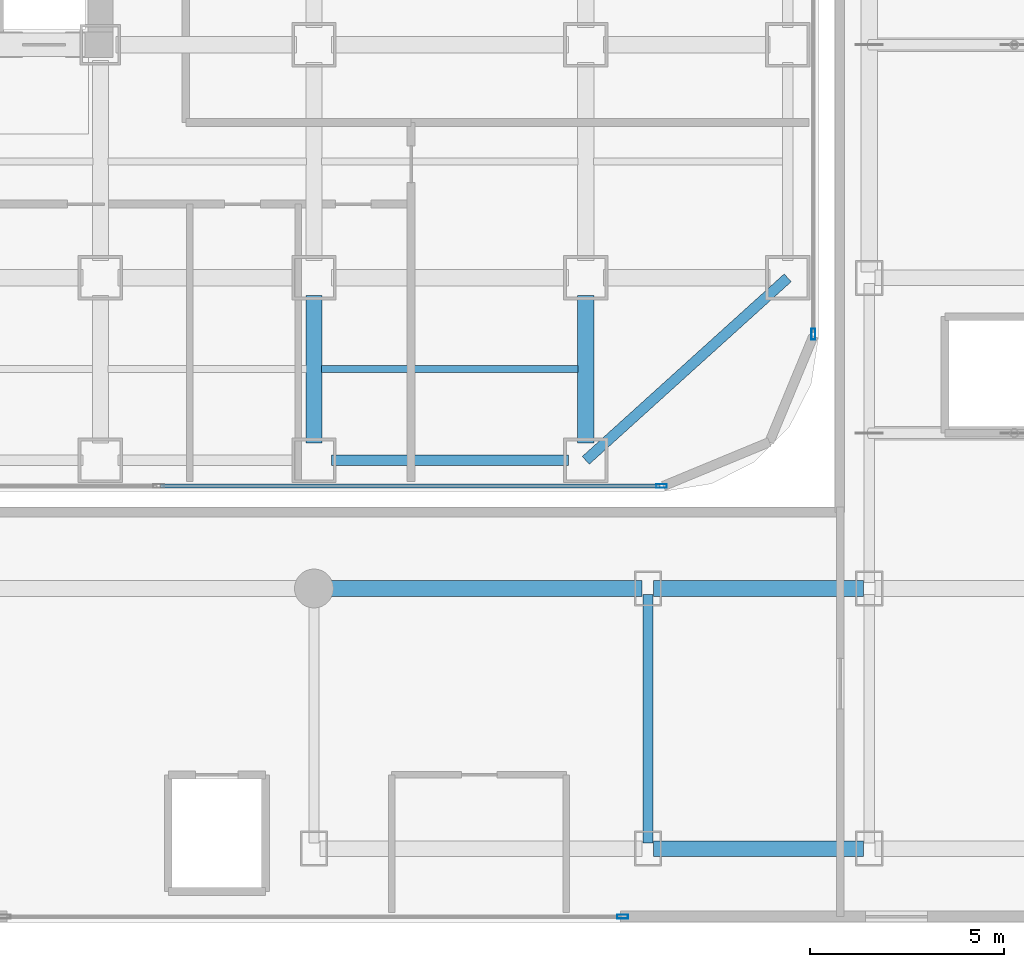
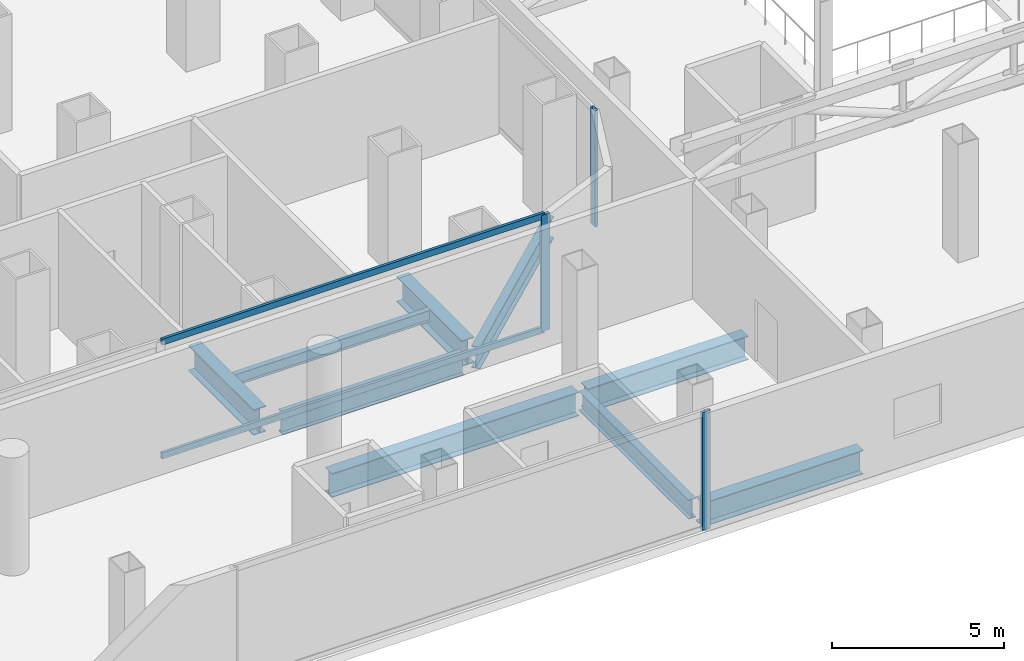
# One storey, part 10 of 28: 9 beams, 5 members, 3 elements without a shape of their own.
"""IFC4 building model written with IfcOpenShell, lengths in metres."""

from ifc_helpers import new_model, si_unit, direction, frame, origin, origin_2d, place, context, subcontext, project, spatial, hollow_rectangle, i_section, extrude, source, transform, mapped, material, layer, layer_set, material_profile, profile_set, type_object, element, aggregate, save


model = new_model("IFC4")

# Units and contexts
model_context = context("Model", 3, precision=1e-05, world=origin(), true_north=direction((0.0, 1.0)))
body_context = subcontext(model_context, "Body", "Model", "MODEL_VIEW")
ifc_project = project(units=[si_unit("LENGTHUNIT", "METRE"), si_unit("AREAUNIT", "SQUARE_METRE"), si_unit("VOLUMEUNIT", "CUBIC_METRE"), si_unit("PLANEANGLEUNIT", "RADIAN"), si_unit("MASSUNIT", "GRAM", prefix="KILO")], contexts=[model_context])

# Site, building, storey
site_placement = place(None, origin())
site = spatial("IfcSite", under=ifc_project, at=site_placement, CompositionType="ELEMENT")
building_placement = place(site_placement, origin())
building = spatial("IfcBuilding", under=site, at=building_placement, Name="Kolveth Station Tower", CompositionType="ELEMENT")
storey_placement = place(building_placement, frame((0.0, 0.0, 18.0)))
storey = spatial("IfcBuildingStorey", under=building, at=storey_placement, Name="L04", CompositionType="ELEMENT", Elevation=18.0)

# Beams
ifc_material_1 = material(Name="Steel S355", Category="steel")
ifc_material_profile_1 = material_profile(ifc_material_1, i_section(OverallWidth=0.26904296875, OverallDepth=0.77490234375, WebThickness=0.01708984375, FlangeThickness=0.0283203125, at=origin_2d()), Name="W760x220")
ifc_profile_set_1 = profile_set([ifc_material_profile_1], Name="Steel S355")
beam_type_1 = type_object("IfcBeamType", Name="Beam_SP1", PredefinedType="SPANDREL", material=ifc_profile_set_1)
shared_shape_1 = source(origin(), body_context, "Body", "SweptSolid", [
    extrude(i_section(OverallWidth=0.26904296875, OverallDepth=0.77490234375, WebThickness=0.01708984375, FlangeThickness=0.0283203125, at=origin_2d()), origin(), (0.0, 0.0, 1.0), 6.10009765625),
])
beam_1_placement = place(storey_placement, frame((34.449951171875, 0.800048828125, -0.70751953125), z_axis=(1.0, 0.0, 0.0), x_axis=(0.0, 1.0, 0.0)))
element("IfcBeam", 1, at=beam_1_placement, inside=storey, type_object=beam_type_1, Name="L04 Perimeter Spandrel BM-L04-PS-5", PredefinedType="SPANDREL", context=body_context, shape_type="MappedRepresentation", body=[
    mapped(shared_shape_1, transform((0.0, 0.0, 0.0), x_axis=(1.0, 0.0, 0.0), y_axis=(0.0, 1.0, 0.0), z_axis=(0.0, 0.0, 1.0), scale=1.0)),
])
shared_shape_2 = source(origin(), body_context, "Body", "SweptSolid", [
    extrude(i_section(OverallWidth=0.26904296875, OverallDepth=0.77490234375, WebThickness=0.01708984375, FlangeThickness=0.0283203125, at=origin_2d()), origin(), (0.0, 0.0, 1.0), 7.00927734375),
])
beam_2_placement = place(storey_placement, frame((41.0, 0.800048828125, -0.70751953125), z_axis=(0.741874009795, 0.670539300557, 0.0), x_axis=(-0.670539300557, 0.741874009795, 0.0)))
element("IfcBeam", 2, at=beam_2_placement, inside=storey, type_object=beam_type_1, Name="L04 Corner Edge Girder BM-L04-CNR-SE", PredefinedType="SPANDREL", context=body_context, shape_type="MappedRepresentation", body=[
    mapped(shared_shape_2, transform((0.0, 0.0, 0.0), x_axis=(1.0, 0.0, 0.0), y_axis=(0.0, 1.0, 0.0), z_axis=(0.0, 0.0, 1.0), scale=1.0)),
])
ifc_material_profile_2 = material_profile(ifc_material_1, i_section(OverallWidth=0.41796875, OverallDepth=0.912109375, WebThickness=0.019287109375, FlangeThickness=0.031982421875, at=origin_2d()), Name="W920x342")
ifc_profile_set_2 = profile_set([ifc_material_profile_2], Name="Steel S355")
beam_type_2 = type_object("IfcBeamType", Name="Beam_B1", PredefinedType="BEAM", material=ifc_profile_set_2)
shared_shape_3 = source(origin(), body_context, "Body", "SweptSolid", [
    extrude(i_section(OverallWidth=0.41796875, OverallDepth=0.912109375, WebThickness=0.019287109375, FlangeThickness=0.031982421875, at=origin_2d()), origin(), (0.0, 0.0, 1.0), 3.800048828125),
])
for number, where, z_axis, x_axis, name in (
    (3, (34.0, 1.25, -0.77587890625), (0.0, 1.0, 0.0), (-1.0, 0.0, 0.0), "L04 Primary Girder BM-L04-GX340-1"),
    (4, (41.0, 1.25, -0.77587890625), (0.0, 1.0, 0.0), (-1.0, 0.0, 0.0), "L04 Primary Girder BM-L04-GX410-1"),
):
    element("IfcBeam", number, at=place(storey_placement, frame(where, z_axis=z_axis, x_axis=x_axis)), inside=storey, type_object=beam_type_2, Name=name, PredefinedType="BEAM", context=body_context, shape_type="MappedRepresentation", body=[
        mapped(shared_shape_3, transform((0.0, 0.0, 0.0), x_axis=(1.0, 0.0, 0.0), y_axis=(0.0, 1.0, 0.0), z_axis=(0.0, 0.0, 1.0), scale=1.0)),
    ])
ifc_material_profile_3 = material_profile(ifc_material_1, i_section(OverallWidth=0.177978515625, OverallDepth=0.406982421875, WebThickness=0.0078125, FlangeThickness=0.0126953125, at=origin_2d()), Name="W410x60")
ifc_profile_set_3 = profile_set([ifc_material_profile_3], Name="Steel S355")
beam_type_3 = type_object("IfcBeamType", Name="Beam_J1", PredefinedType="JOIST", material=ifc_profile_set_3)
shared_shape_4 = source(origin(), body_context, "Body", "SweptSolid", [
    extrude(i_section(OverallWidth=0.177978515625, OverallDepth=0.406982421875, WebThickness=0.0078125, FlangeThickness=0.0126953125, at=origin_2d()), origin(), (0.0, 0.0, 1.0), 6.60986328125),
])
beam_3_placement = place(storey_placement, frame((34.195068359375, 3.14990234375, -0.5234375), z_axis=(1.0, 0.0, 0.0), x_axis=(0.0, 1.0, 0.0)))
element("IfcBeam", 5, at=beam_3_placement, inside=storey, type_object=beam_type_3, Name="L04 Secondary Joist JST-L04-6-1", PredefinedType="JOIST", context=body_context, shape_type="MappedRepresentation", body=[
    mapped(shared_shape_4, transform((0.0, 0.0, 0.0), x_axis=(1.0, 0.0, 0.0), y_axis=(0.0, 1.0, 0.0), z_axis=(0.0, 0.0, 1.0), scale=1.0)),
])
ifc_material_profile_4 = material_profile(ifc_material_1, i_section(OverallWidth=0.40087890625, OverallDepth=0.85107421875, WebThickness=0.01611328125, FlangeThickness=0.025390625, at=origin_2d()), Name="W840x226")
ifc_profile_set_4 = profile_set([ifc_material_profile_4], Name="Steel S355")
beam_type_4 = type_object("IfcBeamType", Name="Beam_B2", PredefinedType="BEAM", material=ifc_profile_set_4)
shared_shape_5 = source(origin(), body_context, "Body", "SweptSolid", [
    extrude(i_section(OverallWidth=0.40087890625, OverallDepth=0.85107421875, WebThickness=0.01611328125, FlangeThickness=0.025390625, at=origin_2d()), origin(), (0.0, 0.0, 1.0), 8.300048828125),
])
beam_4_placement = place(storey_placement, frame((34.14990234375, -2.5, -0.74560546875), z_axis=(1.0, 0.0, 0.0), x_axis=(0.0, 1.0, 0.0)))
element("IfcBeam", 6, at=beam_4_placement, inside=storey, type_object=beam_type_4, Name="L04 Station Concourse Girder SBM-L04-SL2-4", PredefinedType="BEAM", context=body_context, shape_type="MappedRepresentation", body=[
    mapped(shared_shape_5, transform((0.0, 0.0, 0.0), x_axis=(1.0, 0.0, 0.0), y_axis=(0.0, 1.0, 0.0), z_axis=(0.0, 0.0, 1.0), scale=1.0)),
])
shared_shape_6 = source(origin(), body_context, "Body", "SweptSolid", [
    extrude(i_section(OverallWidth=0.40087890625, OverallDepth=0.85107421875, WebThickness=0.01611328125, FlangeThickness=0.025390625, at=origin_2d()), origin(), (0.0, 0.0, 1.0), 5.39990234375),
])
for number, where, z_axis, x_axis, name in (
    (7, (42.75, -9.199951171875, -0.74560546875), (1.0, 0.0, 0.0), (0.0, 1.0, 0.0), "L04 Station Concourse Girder SBM-L04-SL1-5"),
    (8, (42.75, -2.5, -0.74560546875), (1.0, 0.0, 0.0), (0.0, 1.0, 0.0), "L04 Station Concourse Girder SBM-L04-SL2-5"),
):
    element("IfcBeam", number, at=place(storey_placement, frame(where, z_axis=z_axis, x_axis=x_axis)), inside=storey, type_object=beam_type_4, Name=name, PredefinedType="BEAM", context=body_context, shape_type="MappedRepresentation", body=[
        mapped(shared_shape_6, transform((0.0, 0.0, 0.0), x_axis=(1.0, 0.0, 0.0), y_axis=(0.0, 1.0, 0.0), z_axis=(0.0, 0.0, 1.0), scale=1.0)),
    ])
ifc_material_profile_5 = material_profile(ifc_material_1, i_section(OverallWidth=0.25390625, OverallDepth=0.68798828125, WebThickness=0.01318359375, FlangeThickness=0.02099609375, at=origin_2d()), Name="W690x152")
ifc_profile_set_5 = profile_set([ifc_material_profile_5], Name="Steel S355")
beam_type_5 = type_object("IfcBeamType", Name="Beam_B4", PredefinedType="BEAM", material=ifc_profile_set_5)
shared_shape_7 = source(origin(), body_context, "Body", "SweptSolid", [
    extrude(i_section(OverallWidth=0.25390625, OverallDepth=0.68798828125, WebThickness=0.01318359375, FlangeThickness=0.02099609375, at=origin_2d()), origin(), (0.0, 0.0, 1.0), 6.400146484375),
])
beam_5_placement = place(storey_placement, frame((42.60009765625, -9.050048828125, -0.6640625), z_axis=(0.0, 1.0, 0.0), x_axis=(-1.0, 0.0, 0.0)))
element("IfcBeam", 9, at=beam_5_placement, inside=storey, type_object=beam_type_5, Name="L04 Station Transverse Beam SBM-L04-ST-5", PredefinedType="BEAM", context=body_context, shape_type="MappedRepresentation", body=[
    mapped(shared_shape_7, transform((0.0, 0.0, 0.0), x_axis=(1.0, 0.0, 0.0), y_axis=(0.0, 1.0, 0.0), z_axis=(0.0, 0.0, 1.0), scale=1.0)),
])

# Curtain wall, members
ifc_material_2 = material(Name="Black anodized aluminium 6063-T6 and clear station glass", Category="aluminium")
ifc_layer = layer(ifc_material_2, 0.239990234375)
ifc_layer_set = layer_set([ifc_layer], Name="Black anodized aluminium 6063-T6 and clear station glass")
curtain_wall_type = type_object("IfcCurtainWallType", Name="CurtainWall_CW-ST", PredefinedType="NOTDEFINED", material=ifc_layer_set)
curtain_wall_1_placement = place(storey_placement, origin())
curtain_wall_1 = element("IfcCurtainWall", 10, at=curtain_wall_1_placement, inside=storey, type_object=curtain_wall_type, Name="L04 Tower Podium South Storefront Curtain Wall", PredefinedType="NOTDEFINED")
ifc_material_3 = material(Name="Black anodized aluminium 6063-T6", Category="aluminium")
ifc_material_profile_6 = material_profile(ifc_material_3, hollow_rectangle(XDim=0.094970703125, YDim=0.219970703125, WallThickness=0.0048828125, at=origin_2d()), Name="ALU-95x220x5")
ifc_profile_set_6 = profile_set([ifc_material_profile_6], Name="Black anodized aluminium 6063-T6")
member_type_1 = type_object("IfcMemberType", Name="Transom_TR-ST", PredefinedType="USERDEFINED", material=ifc_profile_set_6)
shared_shape_8 = source(origin(), body_context, "Body", "SweptSolid", [
    extrude(hollow_rectangle(XDim=0.094970703125, YDim=0.219970703125, WallThickness=0.0048828125, at=origin_2d()), origin(), (0.0, 0.0, 1.0), 12.849853515625),
])
member_1_placement = place(storey_placement, frame((30.050048828125, 0.139892578125, 0.047607421875), z_axis=(1.0, 0.0, 0.0), x_axis=(0.0, 1.0, 0.0)))
member_1 = element("IfcMember", 11, at=member_1_placement, type_object=member_type_1, Name="CW-ST transom 3.1", ObjectType="TRANSOM", PredefinedType="USERDEFINED", context=body_context, shape_type="MappedRepresentation", body=[
    mapped(shared_shape_8, transform((0.0, 0.0, 0.0), x_axis=(1.0, 0.0, 0.0), y_axis=(0.0, 1.0, 0.0), z_axis=(0.0, 0.0, 1.0), scale=1.0)),
])
member_2_placement = place(storey_placement, frame((30.050048828125, 0.139892578125, 4.092529296875), z_axis=(1.0, 0.0, 0.0), x_axis=(0.0, 1.0, 0.0)))
member_2 = element("IfcMember", 12, at=member_2_placement, type_object=member_type_1, Name="CW-ST transom 3.2", ObjectType="TRANSOM", PredefinedType="USERDEFINED", context=body_context, shape_type="MappedRepresentation", body=[
    mapped(shared_shape_8, transform((0.0, 0.0, 0.0), x_axis=(1.0, 0.0, 0.0), y_axis=(0.0, 1.0, 0.0), z_axis=(0.0, 0.0, 1.0), scale=1.0)),
])
ifc_material_profile_7 = material_profile(ifc_material_3, hollow_rectangle(XDim=0.10009765625, YDim=0.280029296875, WallThickness=0.0048828125, at=origin_2d()), Name="ALU-100x280x5")
ifc_profile_set_7 = profile_set([ifc_material_profile_7], Name="Black anodized aluminium 6063-T6")
member_type_2 = type_object("IfcMemberType", Name="Mullion_ML-ST", PredefinedType="MULLION", material=ifc_profile_set_7)
shared_shape_9 = source(origin(), body_context, "Body", "SweptSolid", [
    extrude(hollow_rectangle(XDim=0.10009765625, YDim=0.280029296875, WallThickness=0.0048828125, at=origin_2d()), origin(), (0.0, 0.0, 1.0), 4.139892578125),
])
member_3_placement = place(storey_placement, frame((42.949951171875, 0.139892578125, 0.0), z_axis=(0.0, 0.0, 1.0), x_axis=(0.0, 1.0, 0.0)))
member_3 = element("IfcMember", 13, at=member_3_placement, type_object=member_type_2, Name="CW-ST mullion 4", PredefinedType="MULLION", context=body_context, shape_type="MappedRepresentation", body=[
    mapped(shared_shape_9, transform((0.0, 0.0, 0.0), x_axis=(1.0, 0.0, 0.0), y_axis=(0.0, 1.0, 0.0), z_axis=(0.0, 0.0, 1.0), scale=1.0)),
])
aggregate(curtain_wall_1, [member_3, member_1, member_2])

# Curtain wall, member
curtain_wall_2_placement = place(storey_placement, origin())
curtain_wall_2 = element("IfcCurtainWall", 14, at=curtain_wall_2_placement, inside=storey, type_object=curtain_wall_type, Name="L04 Tower Podium East Storefront Curtain Wall", PredefinedType="NOTDEFINED")
member_4_placement = place(storey_placement, frame((46.860107421875, 4.050048828125, 0.0), z_axis=(0.0, 0.0, 1.0), x_axis=(-1.0, 0.0, 0.0)))
member_4 = element("IfcMember", 15, at=member_4_placement, type_object=member_type_2, Name="CW-ST mullion 1", PredefinedType="MULLION", context=body_context, shape_type="MappedRepresentation", body=[
    mapped(shared_shape_9, transform((0.0, 0.0, 0.0), x_axis=(1.0, 0.0, 0.0), y_axis=(0.0, 1.0, 0.0), z_axis=(0.0, 0.0, 1.0), scale=1.0)),
])
aggregate(curtain_wall_2, [member_4])

curtain_wall_3_placement = place(storey_placement, origin())
curtain_wall_3 = element("IfcCurtainWall", 16, at=curtain_wall_3_placement, inside=storey, type_object=curtain_wall_type, Name="L04 Station South Concourse Curtain Wall", PredefinedType="NOTDEFINED")
shared_shape_10 = source(origin(), body_context, "Body", "SweptSolid", [
    extrude(hollow_rectangle(XDim=0.10009765625, YDim=0.280029296875, WallThickness=0.0048828125, at=origin_2d()), origin(), (0.0, 0.0, 1.0), 4.199951171875),
])
member_5_placement = place(storey_placement, frame((41.949951171875, -10.949951171875, 0.0), z_axis=(0.0, 0.0, 1.0), x_axis=(0.0, 1.0, 0.0)))
member_5 = element("IfcMember", 17, at=member_5_placement, type_object=member_type_2, Name="CW-ST mullion 2", PredefinedType="MULLION", context=body_context, shape_type="MappedRepresentation", body=[
    mapped(shared_shape_10, transform((0.0, 0.0, 0.0), x_axis=(1.0, 0.0, 0.0), y_axis=(0.0, 1.0, 0.0), z_axis=(0.0, 0.0, 1.0), scale=1.0)),
])
aggregate(curtain_wall_3, [member_5])

save(model, "model.ifc")
